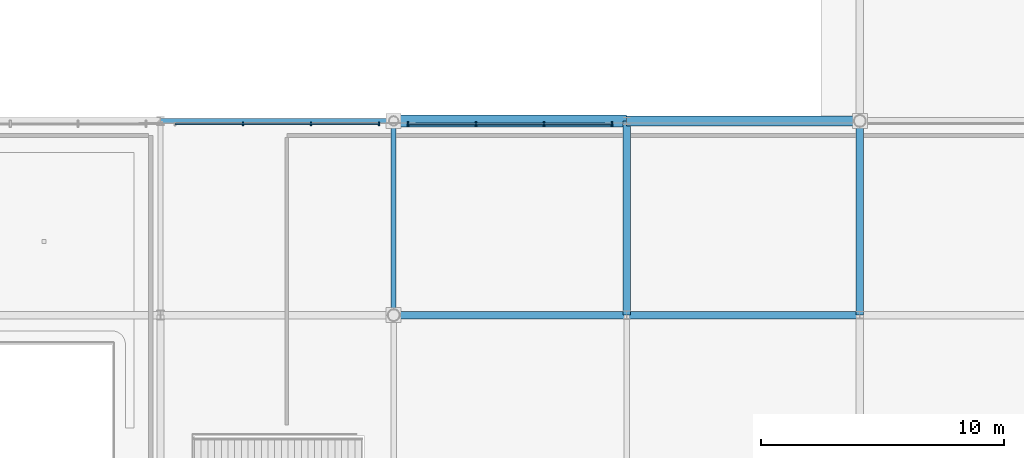
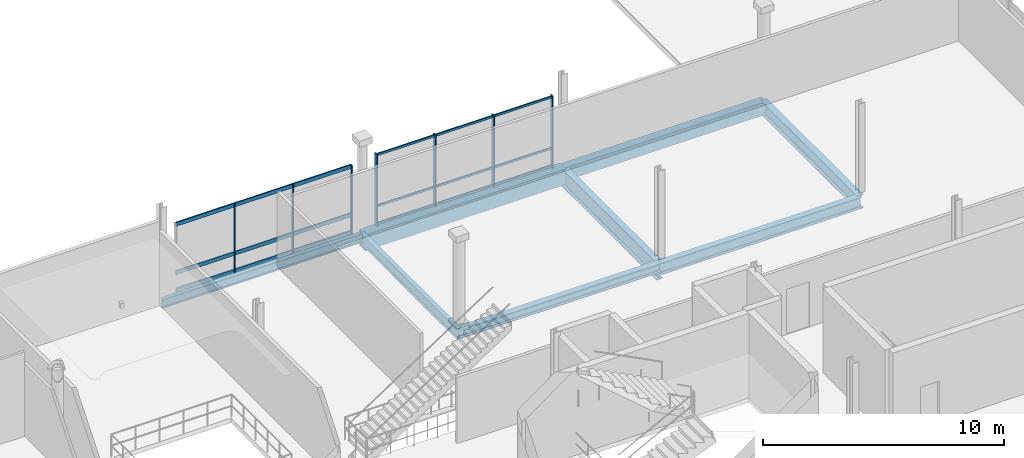
# One storey, part 26 of 59: 13 members, 8 beams, 2 elements without a shape of their own.
"""IFC4 building model written with IfcOpenShell, lengths in metres."""

import ifcopenshell
import ifcopenshell.guid

model = None  # the IFC model being written
_history = None  # IfcOwnerHistory: only IFC2X3 demands one
_inside = {}  # id of a spatial element -> (the spatial element, [elements in it])
_under = {}  # id of a project, library or spatial element -> (it, [spatial elements below it])
_declared = {}  # id of a project -> (the project, [libraries it declares])
_typed = {}  # id of a type object -> (the type object, [elements of that type])
_made_of = {}  # id of a material, layer set ... -> (it, [elements and type objects made of it])


def new_model(schema):
    """Start an empty IFC model of exactly this schema.

    Asked for "IFC4X3", IfcOpenShell would pick the latest addendum, in which some entities
    have other attributes; the version numbers below select the first issue.
    IFC2X3 requires an IfcOwnerHistory on every rooted entity: one is made here for all.
    """
    global model, _history
    if schema == "IFC4X3":
        model = ifcopenshell.file(schema_version=(4, 3, 0, 0))
    else:
        model = ifcopenshell.file(schema=schema)
    _inside.clear()
    _under.clear()
    _declared.clear()
    _typed.clear()
    _made_of.clear()
    _history = None
    if model.schema == "IFC2X3":
        org = make("IfcOrganization", Name="unknown")
        user = make(
            "IfcPersonAndOrganization",
            ThePerson=make("IfcPerson", FamilyName="unknown"),
            TheOrganization=org,
        )
        app = make(
            "IfcApplication",
            ApplicationDeveloper=org,
            Version="unknown",
            ApplicationFullName="unknown",
            ApplicationIdentifier="unknown",
        )
        _history = make(
            "IfcOwnerHistory",
            OwningUser=user,
            OwningApplication=app,
            ChangeAction="ADDED",
            CreationDate=0,
        )
    return model


def make(cls, **values):
    """One entity of the class cls with the attributes given. An attribute that is None is left unset."""
    return model.create_entity(
        cls, **{name: value for name, value in values.items() if value is not None}
    )


def rooted(cls, **values):
    """An entity with a GlobalId (a new one), such as an element, a storey or a relation."""
    return make(cls, GlobalId=ifcopenshell.guid.new(), OwnerHistory=_history, **values)


def si_unit(unit_type, name, prefix=None):
    """IfcSIUnit, for example si_unit("LENGTHUNIT", "METRE", prefix="MILLI")."""
    return make("IfcSIUnit", UnitType=unit_type, Prefix=prefix, Name=name)


def assignment(units):
    """IfcUnitAssignment: the units of a project."""
    return None if units is None else make("IfcUnitAssignment", Units=units)


def point(xyz):
    """IfcCartesianPoint."""
    return None if xyz is None else make("IfcCartesianPoint", Coordinates=xyz)


def direction(xyz):
    """IfcDirection."""
    return None if xyz is None else make("IfcDirection", DirectionRatios=xyz)


def frame(location, z_axis=None, x_axis=None):
    """IfcAxis2Placement3D, a coordinate frame: its origin and axes. An axis left out is left unset."""
    return make(
        "IfcAxis2Placement3D",
        Location=point(location),
        Axis=direction(z_axis),
        RefDirection=direction(x_axis),
    )


def frame_2d(location, x_axis=None):
    """IfcAxis2Placement2D, a coordinate frame in the plane: its origin and x axis."""
    return make(
        "IfcAxis2Placement2D", Location=point(location), RefDirection=direction(x_axis)
    )


def origin():
    """The frame at (0, 0, 0) with its axes left unset."""
    return frame((0.0, 0.0, 0.0))


def origin_2d():
    """The frame at (0, 0) in the plane with its x axis left unset."""
    return frame_2d((0.0, 0.0))


def place(relative_to, where):
    """IfcLocalPlacement: puts the frame where relative to a parent placement (None: the world)."""
    return make(
        "IfcLocalPlacement", PlacementRelTo=relative_to, RelativePlacement=where
    )


def context(
    kind, dimensions, precision=None, world=None, true_north=None, identifier=None
):
    """IfcGeometricRepresentationContext, for example the 3D "Model" context."""
    return make(
        "IfcGeometricRepresentationContext",
        ContextIdentifier=identifier,
        ContextType=kind,
        CoordinateSpaceDimension=dimensions,
        Precision=precision,
        WorldCoordinateSystem=world,
        TrueNorth=true_north,
    )


def subcontext(parent, identifier, kind, view, scale=None):
    """IfcGeometricRepresentationSubContext, for example "Body" below "Model"."""
    return make(
        "IfcGeometricRepresentationSubContext",
        ContextIdentifier=identifier,
        ContextType=kind,
        ParentContext=parent,
        TargetScale=scale,
        TargetView=view,
    )


def project(units=None, contexts=None):
    """IfcProject with its units and contexts."""
    return rooted(
        "IfcProject",
        Name="project",
        RepresentationContexts=contexts,
        UnitsInContext=assignment(units),
    )


def spatial(cls, under=None, at=None, **own):
    """A site, building, storey or space (cls), placed at a placement, below another one or the project."""
    s = rooted(cls, ObjectPlacement=at, **own)
    if under is not None:
        _under.setdefault(under.id(), (under, []))[1].append(s)
    return s


def profile(cls, at=None, kind="AREA", **sizes):
    """A parametric profile (cls). Its sizes go by their IFC names, for example OverallWidth=200.0."""
    return make(cls, ProfileType=kind, Position=at, **sizes)


def rectangle(**sizes):
    """IfcRectangleProfileDef."""
    return profile("IfcRectangleProfileDef", **sizes)


def i_section(**sizes):
    """IfcIShapeProfileDef."""
    return profile("IfcIShapeProfileDef", **sizes)


def extrude(swept, where, along, depth):
    """IfcExtrudedAreaSolid: the profile swept, set in the frame where, extruded along a direction by depth."""
    return make(
        "IfcExtrudedAreaSolid",
        SweptArea=swept,
        Position=where,
        ExtrudedDirection=direction(along),
        Depth=depth,
    )


def shape(context_of_items, identifier, shape_type, items):
    """IfcShapeRepresentation: the items that make up one representation, for example the "Body"."""
    return make(
        "IfcShapeRepresentation",
        ContextOfItems=context_of_items,
        RepresentationIdentifier=identifier,
        RepresentationType=shape_type,
        Items=items,
    )


def material(Name=None, Category=None):
    """IfcMaterial."""
    return make("IfcMaterial", Name=Name, Category=Category)


def material_profile(
    of_material, cross_section, Name=None, Category=None, Priority=None
):
    """IfcMaterialProfile: a cross section and its material."""
    return make(
        "IfcMaterialProfile",
        Name=Name,
        Material=of_material,
        Profile=cross_section,
        Priority=Priority,
        Category=Category,
    )


def profile_set(profiles, Name=None, composite=None):
    """IfcMaterialProfileSet."""
    return make(
        "IfcMaterialProfileSet",
        Name=Name,
        MaterialProfiles=profiles,
        CompositeProfile=composite,
    )


def made_of(thing, what):
    """Note that an element or type object is made of a material, layer set ...; save() writes the relation."""
    if what is not None:
        _made_of.setdefault(what.id(), (what, []))[1].append(thing)
    return thing


def type_object(cls, material=None, **own):
    """A type object (cls), such as IfcWallType, which elements share."""
    return made_of(rooted(cls, **own), material)


def element(
    cls,
    number,
    at=None,
    inside=None,
    cuts=None,
    type_object=None,
    material=None,
    context=None,
    identifier="Body",
    shape_type=None,
    held_by="IfcProductDefinitionShape",
    body=None,
    shapes=None,
    **own,
):
    """One element of the class cls, such as IfcWall. Its Tag is "e" and its number.

    at: its placement. inside: the storey or other place that contains it. cuts: it is an
    opening in that element (IfcRelVoidsElement). A single representation is given by context,
    identifier, shape_type and body (its items); several are given by shapes. held_by: the class
    of the entity that holds the representations. save() writes the other relations.
    """
    e = rooted(cls, Tag="e%d" % number, ObjectPlacement=at, **own)
    if body is not None:
        shapes = [shape(context, identifier, shape_type, body)]
    if shapes is not None:
        e.Representation = make(held_by, Representations=shapes)
    if inside is not None:
        _inside.setdefault(inside.id(), (inside, []))[1].append(e)
    if cuts is not None:
        rooted(
            "IfcRelVoidsElement", RelatingBuildingElement=cuts, RelatedOpeningElement=e
        )
    if type_object is not None:
        _typed.setdefault(type_object.id(), (type_object, []))[1].append(e)
    return made_of(e, material)


def aggregate(whole, parts):
    """IfcRelAggregates: a whole, such as a stair, and the parts it consists of."""
    return rooted("IfcRelAggregates", RelatingObject=whole, RelatedObjects=parts)


def save(model, path):
    """Write the relations noted so far, then the file.

    IfcRelAggregates (storeys below a building ...), IfcRelContainedInSpatialStructure (elements
    in a storey), IfcRelDefinesByType, IfcRelAssociatesMaterial and IfcRelDeclares: one each for
    every whole, place, type object, material and project.
    """
    for whole, parts in _under.values():
        aggregate(whole, parts)
    for where, things in _inside.values():
        rooted(
            "IfcRelContainedInSpatialStructure",
            RelatedElements=things,
            RelatingStructure=where,
        )
    for kind, things in _typed.values():
        rooted("IfcRelDefinesByType", RelatedObjects=things, RelatingType=kind)
    for what, things in _made_of.values():
        rooted("IfcRelAssociatesMaterial", RelatedObjects=things, RelatingMaterial=what)
    for by, libraries in _declared.values():
        rooted("IfcRelDeclares", RelatingContext=by, RelatedDefinitions=libraries)
    model.write(path)


model = new_model("IFC4")

# Units and contexts
model_context = context("Model", 3, precision=1e-05, world=origin(), true_north=direction((0.0, 1.0)))
body_context = subcontext(model_context, "Body", "Model", "MODEL_VIEW")
ifc_project = project(units=[si_unit("LENGTHUNIT", "METRE"), si_unit("AREAUNIT", "SQUARE_METRE"), si_unit("VOLUMEUNIT", "CUBIC_METRE"), si_unit("PLANEANGLEUNIT", "RADIAN"), si_unit("MASSUNIT", "GRAM", prefix="KILO")], contexts=[model_context])

# Site, building, storey
site_placement = place(None, origin())
site = spatial("IfcSite", under=ifc_project, at=site_placement, CompositionType="ELEMENT")
building_placement = place(site_placement, origin())
building = spatial("IfcBuilding", under=site, at=building_placement, Name="Danafjord Basin Convention Centre", CompositionType="ELEMENT")
storey_placement = place(building_placement, frame((0.0, 0.0, 15.89990234375)))
storey = spatial("IfcBuildingStorey", under=building, at=storey_placement, Name="L03", CompositionType="ELEMENT", Elevation=15.89990234375)

# Beams
ifc_material_1 = material(Name="Steel S355", Category="steel")
ifc_material_profile_1 = material_profile(ifc_material_1, i_section(OverallWidth=0.300048828125, OverallDepth=0.590087890625, WebThickness=0.012939453125, FlangeThickness=0.02490234375, FilletRadius=0.027099609375, at=origin_2d()), Name="HEA 600")
ifc_profile_set_1 = profile_set([ifc_material_profile_1], Name="Steel S355")
beam_type_1 = type_object("IfcBeamType", Name="BEAM-BM-HEA600", PredefinedType="BEAM", material=ifc_profile_set_1)
beam_1_placement = place(storey_placement, frame((96.0, 32.0, -0.52490234375), z_axis=(1.0, 0.0, 0.0), x_axis=(0.0, 1.0, 0.0)))
element("IfcBeam", 1, at=beam_1_placement, inside=storey, type_object=beam_type_1, Name="L03 girder BM-HEA600", PredefinedType="BEAM", context=body_context, shape_type="SweptSolid", body=[
    extrude(i_section(OverallWidth=0.300048828125, OverallDepth=0.590087890625, WebThickness=0.012939453125, FlangeThickness=0.02490234375, FilletRadius=0.027099609375, at=origin_2d()), origin(), (0.0, 0.0, 1.0), 9.60009765625),
])
ifc_material_profile_2 = material_profile(ifc_material_1, i_section(OverallWidth=0.300048828125, OverallDepth=0.449951171875, WebThickness=0.013916015625, FlangeThickness=0.02587890625, FilletRadius=0.027099609375, at=origin_2d()), Name="HEB 450")
ifc_profile_set_2 = profile_set([ifc_material_profile_2], Name="Steel S355")
beam_type_2 = type_object("IfcBeamType", Name="BEAM-BM-HEB450", PredefinedType="BEAM", material=ifc_profile_set_2)
beam_2_placement = place(storey_placement, frame((86.39990234375, 32.0, -0.454833984375), z_axis=(1.0, 0.0, 0.0), x_axis=(0.0, 1.0, 0.0)))
element("IfcBeam", 2, at=beam_2_placement, inside=storey, type_object=beam_type_2, Name="L03 girder BM-HEB450", PredefinedType="BEAM", context=body_context, shape_type="SweptSolid", body=[
    extrude(i_section(OverallWidth=0.300048828125, OverallDepth=0.449951171875, WebThickness=0.013916015625, FlangeThickness=0.02587890625, FilletRadius=0.027099609375, at=origin_2d()), origin(), (0.0, 0.0, 1.0), 9.60009765625),
])
ifc_material_profile_3 = material_profile(ifc_material_1, i_section(OverallWidth=0.300048828125, OverallDepth=0.699951171875, WebThickness=0.01708984375, FlangeThickness=0.031982421875, FilletRadius=0.027099609375, at=origin_2d()), Name="HEB 700")
ifc_profile_set_3 = profile_set([ifc_material_profile_3], Name="Steel S355")
beam_type_3 = type_object("IfcBeamType", Name="BEAM-BM-HEB700", PredefinedType="BEAM", material=ifc_profile_set_3)
beam_3_placement = place(storey_placement, frame((105.60009765625, 32.0, -0.579833984375), z_axis=(0.0, 1.0, 0.0), x_axis=(-1.0, 0.0, 0.0)))
element("IfcBeam", 3, at=beam_3_placement, inside=storey, type_object=beam_type_3, Name="L03 transverse girder BM-HEB700", PredefinedType="BEAM", context=body_context, shape_type="SweptSolid", body=[
    extrude(i_section(OverallWidth=0.300048828125, OverallDepth=0.699951171875, WebThickness=0.01708984375, FlangeThickness=0.031982421875, FilletRadius=0.027099609375, at=origin_2d()), origin(), (0.0, 0.0, 1.0), 8.0),
])
ifc_material_profile_4 = material_profile(ifc_material_1, i_section(OverallWidth=0.300048828125, OverallDepth=0.89990234375, WebThickness=0.0185546875, FlangeThickness=0.034912109375, FilletRadius=0.030029296875, at=origin_2d()), Name="HEB 900")
ifc_profile_set_4 = profile_set([ifc_material_profile_4], Name="Steel S355")
beam_type_4 = type_object("IfcBeamType", Name="BEAM-BM-HEB900", PredefinedType="BEAM", material=ifc_profile_set_4)
beam_4_placement = place(storey_placement, frame((96.0, 32.0, -0.679931640625), z_axis=(0.0, 1.0, 0.0), x_axis=(-1.0, 0.0, 0.0)))
element("IfcBeam", 4, at=beam_4_placement, inside=storey, type_object=beam_type_4, Name="L03 transverse girder BM-HEB900", PredefinedType="BEAM", context=body_context, shape_type="SweptSolid", body=[
    extrude(i_section(OverallWidth=0.300048828125, OverallDepth=0.89990234375, WebThickness=0.0185546875, FlangeThickness=0.034912109375, FilletRadius=0.030029296875, at=origin_2d()), origin(), (0.0, 0.0, 1.0), 8.0),
])
ifc_material_profile_5 = material_profile(ifc_material_1, i_section(OverallWidth=0.2099609375, OverallDepth=0.550048828125, WebThickness=0.010986328125, FlangeThickness=0.01708984375, FilletRadius=0.02392578125, at=origin_2d()), Name="IPE 550")
ifc_profile_set_5 = profile_set([ifc_material_profile_5], Name="Steel S355")
beam_type_5 = type_object("IfcBeamType", Name="BEAM-BM-IPE550", PredefinedType="BEAM", material=ifc_profile_set_5)
beam_5_placement = place(storey_placement, frame((86.39990234375, 32.0, -0.5048828125), z_axis=(0.0, 1.0, 0.0), x_axis=(-1.0, 0.0, 0.0)))
element("IfcBeam", 5, at=beam_5_placement, inside=storey, type_object=beam_type_5, Name="L03 transverse girder BM-IPE550", PredefinedType="BEAM", context=body_context, shape_type="SweptSolid", body=[
    extrude(i_section(OverallWidth=0.2099609375, OverallDepth=0.550048828125, WebThickness=0.010986328125, FlangeThickness=0.01708984375, FilletRadius=0.02392578125, at=origin_2d()), origin(), (0.0, 0.0, 1.0), 8.0),
])
ifc_material_profile_6 = material_profile(ifc_material_1, i_section(OverallWidth=0.18994140625, OverallDepth=0.449951171875, WebThickness=0.009521484375, FlangeThickness=0.0146484375, FilletRadius=0.02099609375, at=origin_2d()), Name="IPE 450")
ifc_profile_set_6 = profile_set([ifc_material_profile_6], Name="Steel S355")
beam_type_6 = type_object("IfcBeamType", Name="BEAM-SP-IPE450", PredefinedType="SPANDREL", material=ifc_profile_set_6)
beam_6_placement = place(storey_placement, frame((76.800048828125, 40.0, -0.454833984375), z_axis=(1.0, 0.0, 0.0), x_axis=(0.0, 1.0, 0.0)))
element("IfcBeam", 6, at=beam_6_placement, inside=storey, type_object=beam_type_6, Name="L03 girder SP-IPE450", PredefinedType="SPANDREL", context=body_context, shape_type="SweptSolid", body=[
    extrude(i_section(OverallWidth=0.18994140625, OverallDepth=0.449951171875, WebThickness=0.009521484375, FlangeThickness=0.0146484375, FilletRadius=0.02099609375, at=origin_2d()), origin(), (0.0, 0.0, 1.0), 9.599853515625),
])
ifc_material_2 = material(Name="Precast concrete C45/55", Category="concrete")
ifc_material_profile_7 = material_profile(ifc_material_2, rectangle(XDim=0.39990234375, YDim=0.64990234375, at=origin_2d()), Name="PCB 400x650")
ifc_profile_set_7 = profile_set([ifc_material_profile_7], Name="Precast concrete C45/55")
beam_type_7 = type_object("IfcBeamType", Name="BEAM-SP-PCB650", PredefinedType="SPANDREL", material=ifc_profile_set_7)
beam_7_placement = place(storey_placement, frame((96.0, 40.0, -0.554931640625), z_axis=(1.0, 0.0, 0.0), x_axis=(0.0, 1.0, 0.0)))
element("IfcBeam", 7, at=beam_7_placement, inside=storey, type_object=beam_type_7, Name="L03 girder SP-PCB650", PredefinedType="SPANDREL", context=body_context, shape_type="SweptSolid", body=[
    extrude(rectangle(XDim=0.39990234375, YDim=0.64990234375, at=origin_2d()), origin(), (0.0, 0.0, 1.0), 9.60009765625),
])
ifc_material_profile_8 = material_profile(ifc_material_2, rectangle(XDim=0.5, YDim=0.800048828125, at=origin_2d()), Name="PCB 500x800")
ifc_profile_set_8 = profile_set([ifc_material_profile_8], Name="Precast concrete C45/55")
beam_type_8 = type_object("IfcBeamType", Name="BEAM-SP-PCB800", PredefinedType="SPANDREL", material=ifc_profile_set_8)
beam_8_placement = place(storey_placement, frame((86.39990234375, 40.0, -0.6298828125), z_axis=(1.0, 0.0, 0.0), x_axis=(0.0, 1.0, 0.0)))
element("IfcBeam", 8, at=beam_8_placement, inside=storey, type_object=beam_type_8, Name="L03 girder SP-PCB800", PredefinedType="SPANDREL", context=body_context, shape_type="SweptSolid", body=[
    extrude(rectangle(XDim=0.5, YDim=0.800048828125, at=origin_2d()), origin(), (0.0, 0.0, 1.0), 9.60009765625),
])

# Curtain wall, members
ifc_material_3 = material(Name="Anodised aluminium and triple glazing", Category="aluminium")
curtain_wall_type = type_object("IfcCurtainWallType", Name="CW-CW-TERR", PredefinedType="NOTDEFINED", material=ifc_material_3)
curtain_wall_1_placement = place(storey_placement, origin())
curtain_wall_1 = element("IfcCurtainWall", 9, at=curtain_wall_1_placement, inside=storey, type_object=curtain_wall_type, Name="L03 CW-TERR unitised curtain wall bay 80", PredefinedType="NOTDEFINED")
ifc_material_4 = material(Name="Anodised aluminium EN AW-6060", Category="aluminium")
ifc_material_profile_9 = material_profile(ifc_material_4, rectangle(XDim=0.06005859375, YDim=0.139892578125, at=origin_2d()), Name="MULL 60x140")
ifc_profile_set_9 = profile_set([ifc_material_profile_9], Name="Anodised aluminium EN AW-6060")
member_type_1 = type_object("IfcMemberType", Name="MEM-ML-140", PredefinedType="MULLION", material=ifc_profile_set_9)
member_1_placement = place(storey_placement, frame((85.800048828125, 39.8798828125, -0.02490234375), z_axis=(0.0, 0.0, 1.0), x_axis=(-1.0, 0.0, 0.0)))
member_1 = element("IfcMember", 10, at=member_1_placement, type_object=member_type_1, Name="CW-L03-080 mullion 1", PredefinedType="MULLION", context=body_context, shape_type="SweptSolid", body=[
    extrude(rectangle(XDim=0.06005859375, YDim=0.139892578125, at=origin_2d()), origin(), (0.0, 0.0, 1.0), 3.490966796875),
])
member_2_placement = place(storey_placement, frame((83.0, 39.8798828125, -0.02490234375), z_axis=(0.0, 0.0, 1.0), x_axis=(-1.0, 0.0, 0.0)))
member_2 = element("IfcMember", 11, at=member_2_placement, type_object=member_type_1, Name="CW-L03-080 mullion 2", PredefinedType="MULLION", context=body_context, shape_type="SweptSolid", body=[
    extrude(rectangle(XDim=0.06005859375, YDim=0.139892578125, at=origin_2d()), origin(), (0.0, 0.0, 1.0), 3.490966796875),
])
member_3_placement = place(storey_placement, frame((80.199951171875, 39.8798828125, -0.02490234375), z_axis=(0.0, 0.0, 1.0), x_axis=(-1.0, 0.0, 0.0)))
member_3 = element("IfcMember", 12, at=member_3_placement, type_object=member_type_1, Name="CW-L03-080 mullion 3", PredefinedType="MULLION", context=body_context, shape_type="SweptSolid", body=[
    extrude(rectangle(XDim=0.06005859375, YDim=0.139892578125, at=origin_2d()), origin(), (0.0, 0.0, 1.0), 3.490966796875),
])

curtain_wall_2_placement = place(storey_placement, origin())
curtain_wall_2 = element("IfcCurtainWall", 13, at=curtain_wall_2_placement, inside=storey, type_object=curtain_wall_type, Name="L03 CW-TERR unitised curtain wall bay 81", PredefinedType="NOTDEFINED")
ifc_material_profile_10 = material_profile(ifc_material_4, rectangle(XDim=0.06005859375, YDim=0.179931640625, at=origin_2d()), Name="MULL 60x180")
ifc_profile_set_10 = profile_set([ifc_material_profile_10], Name="Anodised aluminium EN AW-6060")
member_type_2 = type_object("IfcMemberType", Name="MEM-ML-180", PredefinedType="MULLION", material=ifc_profile_set_10)
member_4_placement = place(storey_placement, frame((95.39990234375, 39.8798828125, -0.02490234375), z_axis=(0.0, 0.0, 1.0), x_axis=(-1.0, 0.0, 0.0)))
member_4 = element("IfcMember", 14, at=member_4_placement, type_object=member_type_2, Name="CW-L03-081 mullion 1", PredefinedType="MULLION", context=body_context, shape_type="SweptSolid", body=[
    extrude(rectangle(XDim=0.06005859375, YDim=0.179931640625, at=origin_2d()), origin(), (0.0, 0.0, 1.0), 3.64111328125),
])
member_5_placement = place(storey_placement, frame((92.60009765625, 39.8798828125, -0.02490234375), z_axis=(0.0, 0.0, 1.0), x_axis=(-1.0, 0.0, 0.0)))
member_5 = element("IfcMember", 15, at=member_5_placement, type_object=member_type_2, Name="CW-L03-081 mullion 2", PredefinedType="MULLION", context=body_context, shape_type="SweptSolid", body=[
    extrude(rectangle(XDim=0.06005859375, YDim=0.179931640625, at=origin_2d()), origin(), (0.0, 0.0, 1.0), 3.64111328125),
])
member_6_placement = place(storey_placement, frame((89.800048828125, 39.8798828125, -0.02490234375), z_axis=(0.0, 0.0, 1.0), x_axis=(-1.0, 0.0, 0.0)))
member_6 = element("IfcMember", 16, at=member_6_placement, type_object=member_type_2, Name="CW-L03-081 mullion 3", PredefinedType="MULLION", context=body_context, shape_type="SweptSolid", body=[
    extrude(rectangle(XDim=0.06005859375, YDim=0.179931640625, at=origin_2d()), origin(), (0.0, 0.0, 1.0), 3.64111328125),
])
member_7_placement = place(storey_placement, frame((87.0, 39.8798828125, -0.02490234375), z_axis=(0.0, 0.0, 1.0), x_axis=(-1.0, 0.0, 0.0)))
member_7 = element("IfcMember", 17, at=member_7_placement, type_object=member_type_2, Name="CW-L03-081 mullion 4", PredefinedType="MULLION", context=body_context, shape_type="SweptSolid", body=[
    extrude(rectangle(XDim=0.06005859375, YDim=0.179931640625, at=origin_2d()), origin(), (0.0, 0.0, 1.0), 3.64111328125),
])
ifc_material_profile_11 = material_profile(ifc_material_4, rectangle(XDim=0.06005859375, YDim=0.110107421875, at=origin_2d()), Name="TRAN 60x110")
ifc_profile_set_11 = profile_set([ifc_material_profile_11], Name="Anodised aluminium EN AW-6060")
member_type_3 = type_object("IfcMemberType", Name="MEM-TR-110", PredefinedType="USERDEFINED", material=ifc_profile_set_11)
member_8_placement = place(storey_placement, frame((95.39990234375, 39.8798828125, 0.06005859375), z_axis=(-1.0, 0.0, 0.0), x_axis=(0.0, -1.0, 0.0)))
member_8 = element("IfcMember", 18, at=member_8_placement, type_object=member_type_3, Name="CW-L03-081 transom 1", ObjectType="TRANSOM", PredefinedType="USERDEFINED", context=body_context, shape_type="SweptSolid", body=[
    extrude(rectangle(XDim=0.06005859375, YDim=0.110107421875, at=origin_2d()), origin(), (0.0, 0.0, 1.0), 8.39990234375),
])
member_9_placement = place(storey_placement, frame((95.39990234375, 39.8798828125, 0.9501953125), z_axis=(-1.0, 0.0, 0.0), x_axis=(0.0, -1.0, 0.0)))
member_9 = element("IfcMember", 19, at=member_9_placement, type_object=member_type_3, Name="CW-L03-081 transom 2", ObjectType="TRANSOM", PredefinedType="USERDEFINED", context=body_context, shape_type="SweptSolid", body=[
    extrude(rectangle(XDim=0.06005859375, YDim=0.110107421875, at=origin_2d()), origin(), (0.0, 0.0, 1.0), 8.39990234375),
])
member_10_placement = place(storey_placement, frame((95.39990234375, 39.8798828125, 3.546142578125), z_axis=(-1.0, 0.0, 0.0), x_axis=(0.0, -1.0, 0.0)))
member_10 = element("IfcMember", 20, at=member_10_placement, type_object=member_type_3, Name="CW-L03-081 transom 3", ObjectType="TRANSOM", PredefinedType="USERDEFINED", context=body_context, shape_type="SweptSolid", body=[
    extrude(rectangle(XDim=0.06005859375, YDim=0.110107421875, at=origin_2d()), origin(), (0.0, 0.0, 1.0), 8.39990234375),
])
aggregate(curtain_wall_2, [member_4, member_5, member_6, member_7, member_8, member_9, member_10])

# Member
ifc_material_profile_12 = material_profile(ifc_material_4, rectangle(XDim=0.06494140625, YDim=0.18994140625, at=origin_2d()), Name="TRAN 65x190")
ifc_profile_set_12 = profile_set([ifc_material_profile_12], Name="Anodised aluminium EN AW-6060")
member_type_4 = type_object("IfcMemberType", Name="MEM-TR-190", PredefinedType="USERDEFINED", material=ifc_profile_set_12)
member_11_placement = place(storey_placement, frame((85.800048828125, 39.8798828125, 0.06005859375), z_axis=(-1.0, 0.0, 0.0), x_axis=(0.0, -1.0, 0.0)))
member_11 = element("IfcMember", 21, at=member_11_placement, type_object=member_type_4, Name="CW-L03-080 transom 1", ObjectType="TRANSOM", PredefinedType="USERDEFINED", context=body_context, shape_type="SweptSolid", body=[
    extrude(rectangle(XDim=0.06494140625, YDim=0.18994140625, at=origin_2d()), origin(), (0.0, 0.0, 1.0), 8.400146484375),
])

member_12_placement = place(storey_placement, frame((85.800048828125, 39.8798828125, 0.9501953125), z_axis=(-1.0, 0.0, 0.0), x_axis=(0.0, -1.0, 0.0)))
member_12 = element("IfcMember", 22, at=member_12_placement, type_object=member_type_4, Name="CW-L03-080 transom 2", ObjectType="TRANSOM", PredefinedType="USERDEFINED", context=body_context, shape_type="SweptSolid", body=[
    extrude(rectangle(XDim=0.06494140625, YDim=0.18994140625, at=origin_2d()), origin(), (0.0, 0.0, 1.0), 8.400146484375),
])

member_13_placement = place(storey_placement, frame((85.800048828125, 39.8798828125, 3.39599609375), z_axis=(-1.0, 0.0, 0.0), x_axis=(0.0, -1.0, 0.0)))
member_13 = element("IfcMember", 23, at=member_13_placement, type_object=member_type_4, Name="CW-L03-080 transom 3", ObjectType="TRANSOM", PredefinedType="USERDEFINED", context=body_context, shape_type="SweptSolid", body=[
    extrude(rectangle(XDim=0.06494140625, YDim=0.18994140625, at=origin_2d()), origin(), (0.0, 0.0, 1.0), 8.400146484375),
])

aggregate(curtain_wall_1, [member_1, member_2, member_3, member_11, member_12, member_13])

save(model, "model.ifc")
